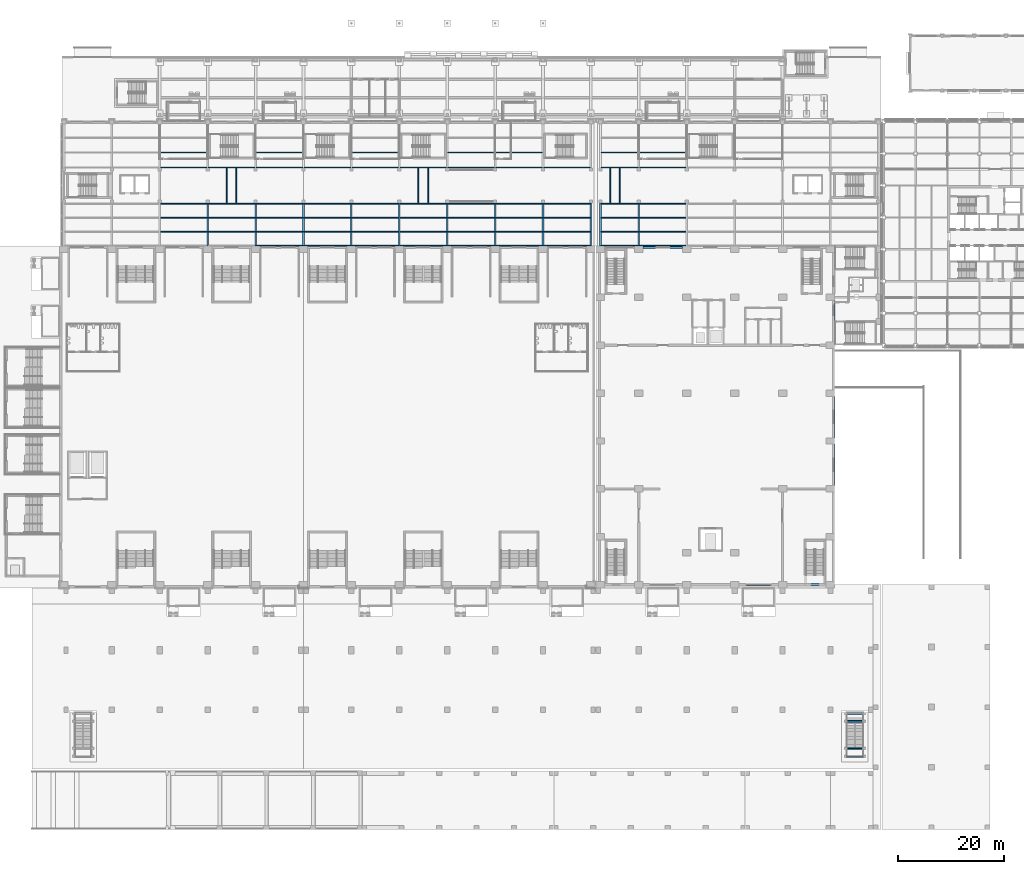
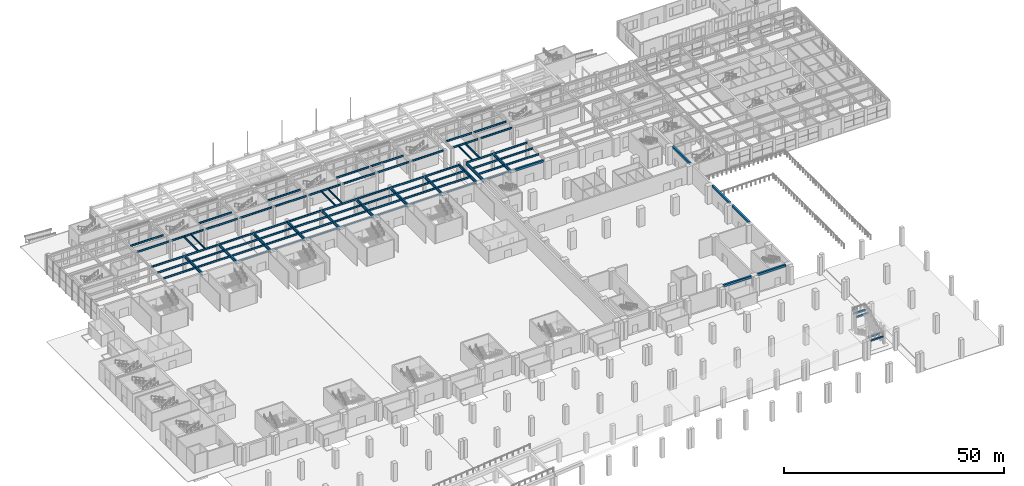
# One storey, part 17 of 77: 87 beams.
"""IFC4 building model written with IfcOpenShell, lengths in metres."""

from ifc_helpers import new_model, si_unit, direction, frame, origin, origin_2d, place, context, subcontext, project, spatial, rectangle, i_section, extrude, material, material_profile, profile_set, type_object, element, save


model = new_model("IFC4")

# Units and contexts
model_context = context("Model", 3, precision=1e-05, world=origin(), true_north=direction((0.0, 1.0)))
body_context = subcontext(model_context, "Body", "Model", "MODEL_VIEW")
ifc_project = project(units=[si_unit("LENGTHUNIT", "METRE"), si_unit("AREAUNIT", "SQUARE_METRE"), si_unit("VOLUMEUNIT", "CUBIC_METRE"), si_unit("PLANEANGLEUNIT", "RADIAN"), si_unit("MASSUNIT", "GRAM", prefix="KILO")], contexts=[model_context])

# Site, building, storey
site_placement = place(None, origin())
site = spatial("IfcSite", under=ifc_project, at=site_placement, CompositionType="ELEMENT")
building_placement = place(site_placement, origin())
building = spatial("IfcBuilding", under=site, at=building_placement, Name="Aravalli Gate Trade Fair Centre", CompositionType="ELEMENT")
storey_placement = place(building_placement, origin())
storey = spatial("IfcBuildingStorey", under=building, at=storey_placement, Name="L00", CompositionType="ELEMENT", Elevation=0.0)

# Beams
ifc_material_1 = material(Name="Concrete M45", Category="concrete")
ifc_material_profile_1 = material_profile(ifc_material_1, rectangle(XDim=0.449951171875, YDim=0.60009765625, at=origin_2d()), Name="RC 450x600")
ifc_profile_set_1 = profile_set([ifc_material_profile_1], Name="Concrete M45")
beam_type_1 = type_object("IfcBeamType", Name="Congress RC lintel beam 450 x 600", PredefinedType="BEAM", material=ifc_profile_set_1)
for number, where, z_axis, x_axis, name in (
    (1, (132.800048828125, 46.0, 4.699951171875), (1.0, 0.0, 0.0), (0.0, 1.0, 0.0), "Lintel S L00 bay 4"),
    (2, (141.800048828125, 46.0, 4.699951171875), (1.0, 0.0, 0.0), (0.0, 1.0, 0.0), "Lintel S L00 bay 5"),
):
    element("IfcBeam", number, at=place(storey_placement, frame(where, z_axis=z_axis, x_axis=x_axis)), inside=storey, type_object=beam_type_1, Name=name, PredefinedType="BEAM", context=body_context, shape_type="SweptSolid", body=[
        extrude(rectangle(XDim=0.449951171875, YDim=0.60009765625, at=origin_2d()), origin(), (0.0, 0.0, 1.0), 7.39990234375),
    ])
for number, where, z_axis, x_axis, name in (
    (3, (150.60009765625, 64.60009765625, 4.699951171875), (0.0, 1.0, 0.0), (-1.0, 0.0, 0.0), "Lintel E L00 bay 3"),
    (4, (150.60009765625, 73.60009765625, 4.699951171875), (0.0, 1.0, 0.0), (-1.0, 0.0, 0.0), "Lintel E L00 bay 4"),
    (5, (150.60009765625, 91.60009765625, 4.699951171875), (0.0, 1.0, 0.0), (-1.0, 0.0, 0.0), "Lintel E L00 bay 6"),
):
    element("IfcBeam", number, at=place(storey_placement, frame(where, z_axis=z_axis, x_axis=x_axis)), inside=storey, type_object=beam_type_1, Name=name, PredefinedType="BEAM", context=body_context, shape_type="SweptSolid", body=[
        extrude(rectangle(XDim=0.449951171875, YDim=0.60009765625, at=origin_2d()), origin(), (0.0, 0.0, 1.0), 7.7998046875),
    ])
beam_placement = place(storey_placement, frame((114.800048828125, 109.375, 4.699951171875), z_axis=(1.0, 0.0, 0.0), x_axis=(0.0, 1.0, 0.0)))
element("IfcBeam", 6, at=beam_placement, inside=storey, type_object=beam_type_1, Name="Lintel N L00 bay 2", PredefinedType="BEAM", context=body_context, shape_type="SweptSolid", body=[
    extrude(rectangle(XDim=0.449951171875, YDim=0.60009765625, at=origin_2d()), origin(), (0.0, 0.0, 1.0), 7.39990234375),
])
ifc_material_2 = material(Name="Steel E350", Category="steel")
ifc_material_profile_2 = material_profile(ifc_material_2, i_section(OverallWidth=0.179931640625, OverallDepth=0.5, WebThickness=0.01025390625, FlangeThickness=0.01708984375, at=origin_2d()), Name="ISMB 500")
ifc_profile_set_2 = profile_set([ifc_material_profile_2], Name="Steel E350")
beam_type_2 = type_object("IfcBeamType", Name="ISMB 500 gallery secondary beam", PredefinedType="JOIST", material=ifc_profile_set_2)
for number, where, z_axis, x_axis, name in (
    (7, (24.14990234375, 112.330078125, 4.550048828125), (1.0, 0.0, 0.0), (0.0, 1.0, 0.0), "Gallery beam S1 03-04 L01"),
    (8, (24.14990234375, 114.969970703125, 4.550048828125), (1.0, 0.0, 0.0), (0.0, 1.0, 0.0), "Gallery beam S2 03-04 L01"),
    (9, (24.14990234375, 117.610107421875, 4.550048828125), (1.0, 0.0, 0.0), (0.0, 1.0, 0.0), "Gallery beam S3 03-04 L01"),
    (10, (24.14990234375, 124.389892578125, 4.550048828125), (1.0, 0.0, 0.0), (0.0, 1.0, 0.0), "Gallery beam N4 03-04 L01"),
    (11, (24.14990234375, 127.203369140625, 4.550048828125), (1.0, 0.0, 0.0), (0.0, 1.0, 0.0), "Gallery beam N5 03-04 L01"),
    (12, (33.14990234375, 112.330078125, 4.550048828125), (1.0, 0.0, 0.0), (0.0, 1.0, 0.0), "Gallery beam S1 04-05 L01"),
    (13, (33.14990234375, 114.969970703125, 4.550048828125), (1.0, 0.0, 0.0), (0.0, 1.0, 0.0), "Gallery beam S2 04-05 L01"),
    (14, (33.14990234375, 117.610107421875, 4.550048828125), (1.0, 0.0, 0.0), (0.0, 1.0, 0.0), "Gallery beam S3 04-05 L01"),
    (15, (33.14990234375, 124.389892578125, 4.550048828125), (1.0, 0.0, 0.0), (0.0, 1.0, 0.0), "Gallery beam N4 04-05 L01"),
    (16, (42.14990234375, 109.68994140625, 4.550048828125), (1.0, 0.0, 0.0), (0.0, 1.0, 0.0), "Gallery beam S0 05-06 L01"),
    (17, (42.14990234375, 112.330078125, 4.550048828125), (1.0, 0.0, 0.0), (0.0, 1.0, 0.0), "Gallery beam S1 05-06 L01"),
    (18, (42.14990234375, 114.969970703125, 4.550048828125), (1.0, 0.0, 0.0), (0.0, 1.0, 0.0), "Gallery beam S2 05-06 L01"),
    (19, (42.14990234375, 117.610107421875, 4.550048828125), (1.0, 0.0, 0.0), (0.0, 1.0, 0.0), "Gallery beam S3 05-06 L01"),
    (20, (42.14990234375, 124.389892578125, 4.550048828125), (1.0, 0.0, 0.0), (0.0, 1.0, 0.0), "Gallery beam N4 05-06 L01"),
    (21, (42.14990234375, 127.203369140625, 4.550048828125), (1.0, 0.0, 0.0), (0.0, 1.0, 0.0), "Gallery beam N5 05-06 L01"),
    (22, (51.14990234375, 109.68994140625, 4.550048828125), (1.0, 0.0, 0.0), (0.0, 1.0, 0.0), "Gallery beam S0 06-07 L01"),
    (23, (51.14990234375, 112.330078125, 4.550048828125), (1.0, 0.0, 0.0), (0.0, 1.0, 0.0), "Gallery beam S1 06-07 L01"),
    (24, (51.14990234375, 114.969970703125, 4.550048828125), (1.0, 0.0, 0.0), (0.0, 1.0, 0.0), "Gallery beam S2 06-07 L01"),
    (25, (51.14990234375, 117.610107421875, 4.550048828125), (1.0, 0.0, 0.0), (0.0, 1.0, 0.0), "Gallery beam S3 06-07 L01"),
    (26, (51.14990234375, 124.389892578125, 4.550048828125), (1.0, 0.0, 0.0), (0.0, 1.0, 0.0), "Gallery beam N4 06-07 L01"),
    (27, (60.14990234375, 109.68994140625, 4.550048828125), (1.0, 0.0, 0.0), (0.0, 1.0, 0.0), "Gallery beam S0 07-08 L01"),
    (28, (60.14990234375, 112.330078125, 4.550048828125), (1.0, 0.0, 0.0), (0.0, 1.0, 0.0), "Gallery beam S1 07-08 L01"),
    (29, (60.14990234375, 114.969970703125, 4.550048828125), (1.0, 0.0, 0.0), (0.0, 1.0, 0.0), "Gallery beam S2 07-08 L01"),
    (30, (60.14990234375, 117.610107421875, 4.550048828125), (1.0, 0.0, 0.0), (0.0, 1.0, 0.0), "Gallery beam S3 07-08 L01"),
    (31, (60.14990234375, 124.389892578125, 4.550048828125), (1.0, 0.0, 0.0), (0.0, 1.0, 0.0), "Gallery beam N4 07-08 L01"),
    (32, (60.14990234375, 127.203369140625, 4.550048828125), (1.0, 0.0, 0.0), (0.0, 1.0, 0.0), "Gallery beam N5 07-08 L01"),
    (33, (69.14990234375, 109.68994140625, 4.550048828125), (1.0, 0.0, 0.0), (0.0, 1.0, 0.0), "Gallery beam S0 08-09 L01"),
    (34, (69.14990234375, 112.330078125, 4.550048828125), (1.0, 0.0, 0.0), (0.0, 1.0, 0.0), "Gallery beam S1 08-09 L01"),
    (35, (69.14990234375, 114.969970703125, 4.550048828125), (1.0, 0.0, 0.0), (0.0, 1.0, 0.0), "Gallery beam S2 08-09 L01"),
    (36, (69.14990234375, 117.610107421875, 4.550048828125), (1.0, 0.0, 0.0), (0.0, 1.0, 0.0), "Gallery beam S3 08-09 L01"),
    (37, (69.14990234375, 124.389892578125, 4.550048828125), (1.0, 0.0, 0.0), (0.0, 1.0, 0.0), "Gallery beam N4 08-09 L01"),
    (38, (78.14990234375, 109.68994140625, 4.550048828125), (1.0, 0.0, 0.0), (0.0, 1.0, 0.0), "Gallery beam S0 09-10 L01"),
    (39, (78.14990234375, 112.330078125, 4.550048828125), (1.0, 0.0, 0.0), (0.0, 1.0, 0.0), "Gallery beam S1 09-10 L01"),
    (40, (78.14990234375, 114.969970703125, 4.550048828125), (1.0, 0.0, 0.0), (0.0, 1.0, 0.0), "Gallery beam S2 09-10 L01"),
    (41, (78.14990234375, 117.610107421875, 4.550048828125), (1.0, 0.0, 0.0), (0.0, 1.0, 0.0), "Gallery beam S3 09-10 L01"),
    (42, (78.14990234375, 124.389892578125, 4.550048828125), (1.0, 0.0, 0.0), (0.0, 1.0, 0.0), "Gallery beam N4 09-10 L01"),
    (43, (78.14990234375, 127.203369140625, 4.550048828125), (1.0, 0.0, 0.0), (0.0, 1.0, 0.0), "Gallery beam N5 09-10 L01"),
    (44, (87.14990234375, 109.68994140625, 4.550048828125), (1.0, 0.0, 0.0), (0.0, 1.0, 0.0), "Gallery beam S0 10-11 L01"),
    (45, (87.14990234375, 112.330078125, 4.550048828125), (1.0, 0.0, 0.0), (0.0, 1.0, 0.0), "Gallery beam S1 10-11 L01"),
    (46, (87.14990234375, 114.969970703125, 4.550048828125), (1.0, 0.0, 0.0), (0.0, 1.0, 0.0), "Gallery beam S2 10-11 L01"),
    (47, (87.14990234375, 117.610107421875, 4.550048828125), (1.0, 0.0, 0.0), (0.0, 1.0, 0.0), "Gallery beam S3 10-11 L01"),
    (48, (87.14990234375, 124.389892578125, 4.550048828125), (1.0, 0.0, 0.0), (0.0, 1.0, 0.0), "Gallery beam N4 10-11 L01"),
    (49, (87.14990234375, 127.203369140625, 4.550048828125), (1.0, 0.0, 0.0), (0.0, 1.0, 0.0), "Gallery beam N5 10-11 L01"),
    (50, (96.14990234375, 109.68994140625, 4.550048828125), (1.0, 0.0, 0.0), (0.0, 1.0, 0.0), "Gallery beam S0 11-12 L01"),
    (51, (96.14990234375, 112.330078125, 4.550048828125), (1.0, 0.0, 0.0), (0.0, 1.0, 0.0), "Gallery beam S1 11-12 L01"),
    (52, (96.14990234375, 114.969970703125, 4.550048828125), (1.0, 0.0, 0.0), (0.0, 1.0, 0.0), "Gallery beam S2 11-12 L01"),
    (53, (96.14990234375, 117.610107421875, 4.550048828125), (1.0, 0.0, 0.0), (0.0, 1.0, 0.0), "Gallery beam S3 11-12 L01"),
    (54, (96.14990234375, 124.389892578125, 4.550048828125), (1.0, 0.0, 0.0), (0.0, 1.0, 0.0), "Gallery beam N4 11-12 L01"),
):
    element("IfcBeam", number, at=place(storey_placement, frame(where, z_axis=z_axis, x_axis=x_axis)), inside=storey, type_object=beam_type_2, Name=name, PredefinedType="JOIST", context=body_context, shape_type="SweptSolid", body=[
        extrude(i_section(OverallWidth=0.179931640625, OverallDepth=0.5, WebThickness=0.01025390625, FlangeThickness=0.01708984375, at=origin_2d()), origin(), (0.0, 0.0, 1.0), 8.7001953125),
    ])
for number, where, z_axis, x_axis, name in (
    (55, (106.949951171875, 109.68994140625, 4.550048828125), (1.0, 0.0, 0.0), (0.0, 1.0, 0.0), "Gallery beam S0 12A-13 L01"),
    (56, (106.949951171875, 112.330078125, 4.550048828125), (1.0, 0.0, 0.0), (0.0, 1.0, 0.0), "Gallery beam S1 12A-13 L01"),
    (57, (106.949951171875, 114.969970703125, 4.550048828125), (1.0, 0.0, 0.0), (0.0, 1.0, 0.0), "Gallery beam S2 12A-13 L01"),
    (58, (106.949951171875, 117.610107421875, 4.550048828125), (1.0, 0.0, 0.0), (0.0, 1.0, 0.0), "Gallery beam S3 12A-13 L01"),
    (59, (106.949951171875, 124.389892578125, 4.550048828125), (1.0, 0.0, 0.0), (0.0, 1.0, 0.0), "Gallery beam N4 12A-13 L01"),
    (60, (106.949951171875, 127.203369140625, 4.550048828125), (1.0, 0.0, 0.0), (0.0, 1.0, 0.0), "Gallery beam N5 12A-13 L01"),
):
    element("IfcBeam", number, at=place(storey_placement, frame(where, z_axis=z_axis, x_axis=x_axis)), inside=storey, type_object=beam_type_2, Name=name, PredefinedType="JOIST", context=body_context, shape_type="SweptSolid", body=[
        extrude(i_section(OverallWidth=0.179931640625, OverallDepth=0.5, WebThickness=0.01025390625, FlangeThickness=0.01708984375, at=origin_2d()), origin(), (0.0, 0.0, 1.0), 6.900146484375),
    ])
for number, where, z_axis, x_axis, name in (
    (61, (114.14990234375, 109.68994140625, 4.550048828125), (1.0, 0.0, 0.0), (0.0, 1.0, 0.0), "Gallery beam S0 13-14 L01"),
    (62, (114.14990234375, 112.330078125, 4.550048828125), (1.0, 0.0, 0.0), (0.0, 1.0, 0.0), "Gallery beam S1 13-14 L01"),
    (63, (114.14990234375, 114.969970703125, 4.550048828125), (1.0, 0.0, 0.0), (0.0, 1.0, 0.0), "Gallery beam S2 13-14 L01"),
    (64, (114.14990234375, 117.610107421875, 4.550048828125), (1.0, 0.0, 0.0), (0.0, 1.0, 0.0), "Gallery beam S3 13-14 L01"),
    (65, (114.14990234375, 124.389892578125, 4.550048828125), (1.0, 0.0, 0.0), (0.0, 1.0, 0.0), "Gallery beam N4 13-14 L01"),
    (66, (114.14990234375, 127.203369140625, 4.550048828125), (1.0, 0.0, 0.0), (0.0, 1.0, 0.0), "Gallery beam N5 13-14 L01"),
):
    element("IfcBeam", number, at=place(storey_placement, frame(where, z_axis=z_axis, x_axis=x_axis)), inside=storey, type_object=beam_type_2, Name=name, PredefinedType="JOIST", context=body_context, shape_type="SweptSolid", body=[
        extrude(i_section(OverallWidth=0.179931640625, OverallDepth=0.5, WebThickness=0.01025390625, FlangeThickness=0.01708984375, at=origin_2d()), origin(), (0.0, 0.0, 1.0), 8.7001953125),
    ])
for number, where, z_axis, x_axis, name in (
    (67, (36.60009765625, 117.699951171875, 4.550048828125), (0.0, 1.0, 0.0), (-1.0, 0.0, 0.0), "Bridge beam 1.1 L01"),
    (68, (38.39990234375, 117.699951171875, 4.550048828125), (0.0, 1.0, 0.0), (-1.0, 0.0, 0.0), "Bridge beam 1.2 L01"),
    (69, (72.60009765625, 117.699951171875, 4.550048828125), (0.0, 1.0, 0.0), (-1.0, 0.0, 0.0), "Bridge beam 2.1 L01"),
    (70, (74.39990234375, 117.699951171875, 4.550048828125), (0.0, 1.0, 0.0), (-1.0, 0.0, 0.0), "Bridge beam 2.2 L01"),
    (71, (108.60009765625, 117.699951171875, 4.550048828125), (0.0, 1.0, 0.0), (-1.0, 0.0, 0.0), "Bridge beam 3.1 L01"),
    (72, (110.39990234375, 117.699951171875, 4.550048828125), (0.0, 1.0, 0.0), (-1.0, 0.0, 0.0), "Bridge beam 3.2 L01"),
):
    element("IfcBeam", number, at=place(storey_placement, frame(where, z_axis=z_axis, x_axis=x_axis)), inside=storey, type_object=beam_type_2, Name=name, PredefinedType="JOIST", context=body_context, shape_type="SweptSolid", body=[
        extrude(i_section(OverallWidth=0.179931640625, OverallDepth=0.5, WebThickness=0.01025390625, FlangeThickness=0.01708984375, at=origin_2d()), origin(), (0.0, 0.0, 1.0), 6.60009765625),
    ])
ifc_material_profile_3 = material_profile(ifc_material_2, i_section(OverallWidth=0.300048828125, OverallDepth=0.800048828125, WebThickness=0.011962890625, FlangeThickness=0.02490234375, at=origin_2d()), Name="PG 800x300x12x25")
ifc_profile_set_3 = profile_set([ifc_material_profile_3], Name="Steel E350")
beam_type_3 = type_object("IfcBeamType", Name="PG 800x300x12x25 gallery plate girder", PredefinedType="BEAM", material=ifc_profile_set_3)
for number, where, z_axis, x_axis, name in (
    (73, (33.0, 109.60009765625, 4.39990234375), (0.0, 1.0, 0.0), (-1.0, 0.0, 0.0), "Gallery girder S04 L01"),
    (74, (42.0, 109.60009765625, 4.39990234375), (0.0, 1.0, 0.0), (-1.0, 0.0, 0.0), "Gallery girder S05 L01"),
    (75, (51.0, 109.60009765625, 4.39990234375), (0.0, 1.0, 0.0), (-1.0, 0.0, 0.0), "Gallery girder S06 L01"),
    (76, (60.0, 109.60009765625, 4.39990234375), (0.0, 1.0, 0.0), (-1.0, 0.0, 0.0), "Gallery girder S07 L01"),
    (77, (69.0, 109.60009765625, 4.39990234375), (0.0, 1.0, 0.0), (-1.0, 0.0, 0.0), "Gallery girder S08 L01"),
    (78, (78.0, 109.60009765625, 4.39990234375), (0.0, 1.0, 0.0), (-1.0, 0.0, 0.0), "Gallery girder S09 L01"),
    (79, (87.0, 109.60009765625, 4.39990234375), (0.0, 1.0, 0.0), (-1.0, 0.0, 0.0), "Gallery girder S10 L01"),
    (80, (96.0, 109.60009765625, 4.39990234375), (0.0, 1.0, 0.0), (-1.0, 0.0, 0.0), "Gallery girder S11 L01"),
    (81, (105.0, 109.60009765625, 4.39990234375), (0.0, 1.0, 0.0), (-1.0, 0.0, 0.0), "Gallery girder S12 L01"),
    (82, (106.800048828125, 109.60009765625, 4.39990234375), (0.0, 1.0, 0.0), (-1.0, 0.0, 0.0), "Gallery girder S12A L01"),
    (83, (114.0, 109.60009765625, 4.39990234375), (0.0, 1.0, 0.0), (-1.0, 0.0, 0.0), "Gallery girder S13 L01"),
):
    element("IfcBeam", number, at=place(storey_placement, frame(where, z_axis=z_axis, x_axis=x_axis)), inside=storey, type_object=beam_type_3, Name=name, PredefinedType="BEAM", context=body_context, shape_type="SweptSolid", body=[
        extrude(i_section(OverallWidth=0.300048828125, OverallDepth=0.800048828125, WebThickness=0.011962890625, FlangeThickness=0.02490234375, at=origin_2d()), origin(), (0.0, 0.0, 1.0), 8.099853515625),
    ])
ifc_material_profile_4 = material_profile(ifc_material_1, rectangle(XDim=0.300048828125, YDim=0.39990234375, at=origin_2d()), Name="Stair landing beam RC 300 x 400")
ifc_profile_set_4 = profile_set([ifc_material_profile_4], Name="Concrete M45")
beam_type_4 = type_object("IfcBeamType", Name="Stair landing beam RC 300 x 400", PredefinedType="BEAM", material=ifc_profile_set_4)
for number, where, z_axis, x_axis, name in (
    (84, (153.0, 15.25, 2.050048828125), (1.0, 0.0, 0.0), (0.0, 1.0, 0.0), "Beam SB5-013"),
    (85, (153.0, 13.75, 2.050048828125), (1.0, 0.0, 0.0), (0.0, 1.0, 0.0), "Beam SB5-014"),
    (86, (153.0, 21.800048828125, 4.550048828125), (1.0, 0.0, 0.0), (0.0, 1.0, 0.0), "Beam SB5-015"),
    (87, (153.0, 20.35009765625, 4.550048828125), (1.0, 0.0, 0.0), (0.0, 1.0, 0.0), "Beam SB5-016"),
):
    element("IfcBeam", number, at=place(storey_placement, frame(where, z_axis=z_axis, x_axis=x_axis)), inside=storey, type_object=beam_type_4, Name=name, PredefinedType="BEAM", context=body_context, shape_type="SweptSolid", body=[
        extrude(rectangle(XDim=0.300048828125, YDim=0.39990234375, at=origin_2d()), origin(), (0.0, 0.0, 1.0), 3.199951171875),
    ])

save(model, "model.ifc")
